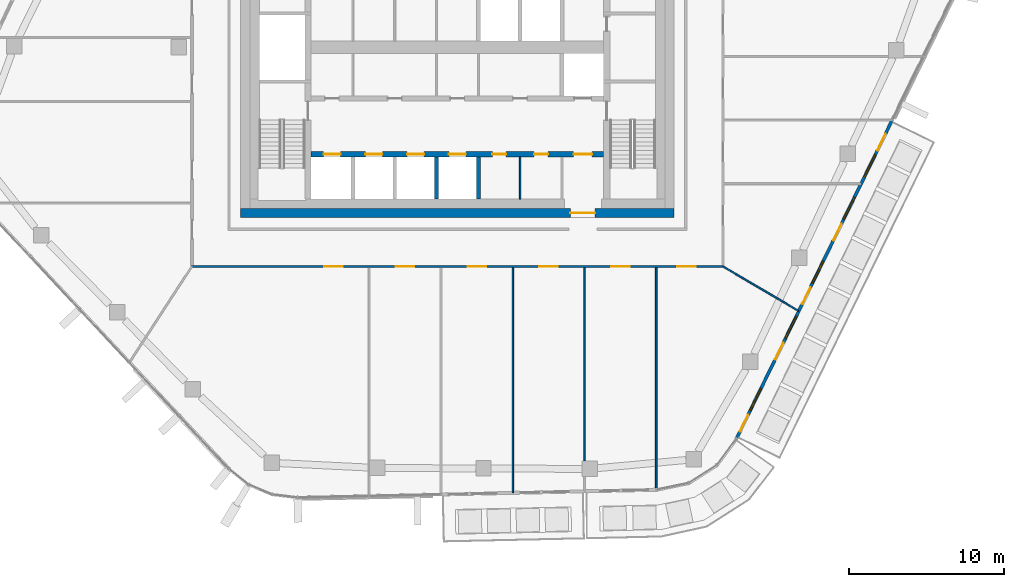
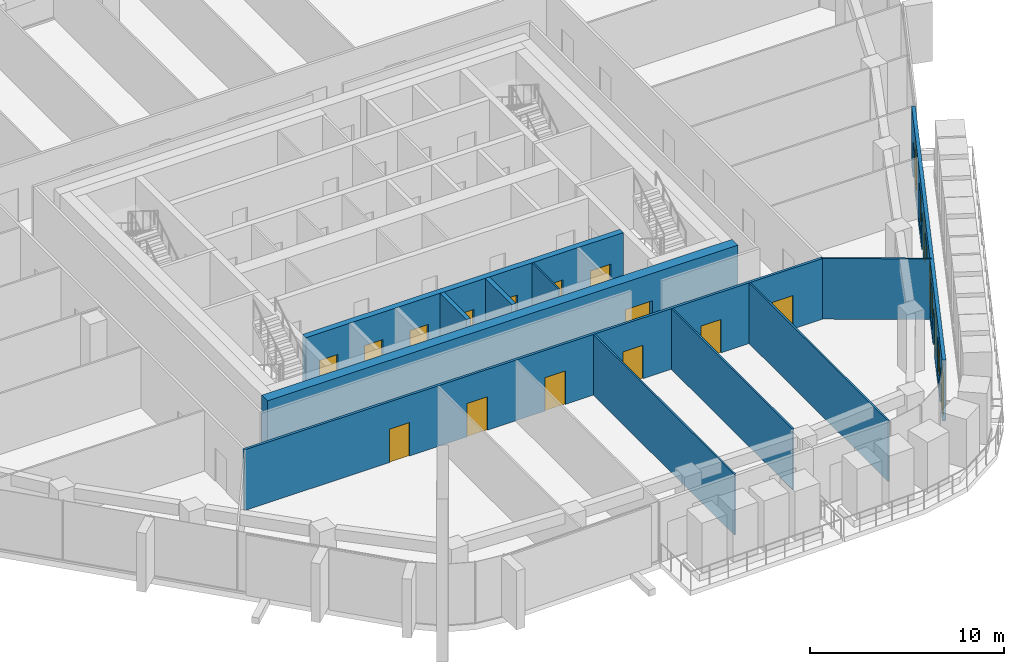
# One storey, part 13 of 24: 19 doors, 11 walls, 5 windows, 24 openings.
"""IFC4 building model written with IfcOpenShell, lengths in metres."""

from ifc_helpers import new_model, si_unit, direction, frame, frame_2d, origin, place, context, subcontext, project, spatial, rectangle, extrude, material, layer, layer_set, type_object, element, fill, save


model = new_model("IFC4")

# Units and contexts
model_context = context("Model", 3, precision=1e-05, world=origin(), true_north=direction((0.0, 1.0)))
body_context = subcontext(model_context, "Body", "Model", "MODEL_VIEW")
ifc_project = project(units=[si_unit("LENGTHUNIT", "METRE"), si_unit("AREAUNIT", "SQUARE_METRE"), si_unit("VOLUMEUNIT", "CUBIC_METRE"), si_unit("PLANEANGLEUNIT", "RADIAN"), si_unit("MASSUNIT", "GRAM", prefix="KILO")], contexts=[model_context])

# Site, building, storey
site_placement = place(None, origin())
site = spatial("IfcSite", under=ifc_project, at=site_placement, CompositionType="ELEMENT")
building_placement = place(site_placement, origin())
building = spatial("IfcBuilding", under=site, at=building_placement, Name="Dongbaek Canopy Tower", CompositionType="ELEMENT")
storey_placement = place(building_placement, frame((0.0, 0.0, 332.0)))
storey = spatial("IfcBuildingStorey", under=building, at=storey_placement, Name="L71", CompositionType="ELEMENT", Elevation=332.0)

# Wall, openings, doors
ifc_material_1 = material(Name="Concrete C60/75", Category="concrete")
ifc_layer_1 = layer(ifc_material_1, 0.35009765625)
ifc_layer_set_1 = layer_set([ifc_layer_1], Name="Core lobby wall 350 Concrete C60/75")
wall_type_1 = type_object("IfcWallType", Name="Core lobby wall 350 Concrete C60/75", PredefinedType="SHEAR", material=ifc_layer_set_1)
wall_1_placement = place(storey_placement, frame((9.449951171875, -6.89990234375, 0.0), z_axis=(0.0, 0.0, 1.0), x_axis=(-1.0, 0.0, 0.0)))
wall_1 = element("IfcWall", 1, at=wall_1_placement, inside=storey, type_object=wall_type_1, Name="Core wall", PredefinedType="SHEAR", context=body_context, shape_type="SweptSolid", body=[
    extrude(rectangle(XDim=18.89990234375, YDim=0.35009765625, at=frame_2d((9.449951171875, 0.0))), origin(), (0.0, 0.0, 1.0), 3.820068359375),
])
opening_1_placement = place(wall_1_placement, frame((17.0, 0.0, 0.0)))
opening_1 = element("IfcOpeningElement", 2, at=opening_1_placement, cuts=wall_1, Name="Opening L71-D034", PredefinedType="OPENING", context=body_context, shape_type="SweptSolid", body=[
    extrude(rectangle(XDim=1.10009765625, YDim=2.10009765625, at=frame_2d((0.550048828125, 1.050048828125))), frame((0.0, 0.18505859375, 0.0), z_axis=(0.0, -1.0, 0.0), x_axis=(1.0, 0.0, 0.0)), (0.0, 0.0, 1.0), 0.3701171875),
])
opening_2_placement = place(wall_1_placement, frame((14.300048828125, 0.0, 0.0)))
opening_2 = element("IfcOpeningElement", 3, at=opening_2_placement, cuts=wall_1, Name="Opening L71-D035", PredefinedType="OPENING", context=body_context, shape_type="SweptSolid", body=[
    extrude(rectangle(XDim=1.10009765625, YDim=2.10009765625, at=frame_2d((0.550048828125, 1.050048828125))), frame((0.0, 0.18505859375, 0.0), z_axis=(0.0, -1.0, 0.0), x_axis=(1.0, 0.0, 0.0)), (0.0, 0.0, 1.0), 0.3701171875),
])
opening_3_placement = place(wall_1_placement, frame((11.60009765625, 0.0, 0.0)))
opening_3 = element("IfcOpeningElement", 4, at=opening_3_placement, cuts=wall_1, Name="Opening L71-D036", PredefinedType="OPENING", context=body_context, shape_type="SweptSolid", body=[
    extrude(rectangle(XDim=1.10009765625, YDim=2.10009765625, at=frame_2d((0.550048828125, 1.050048828125))), frame((0.0, 0.18505859375, 0.0), z_axis=(0.0, -1.0, 0.0), x_axis=(1.0, 0.0, 0.0)), (0.0, 0.0, 1.0), 0.3701171875),
])
opening_4_placement = place(wall_1_placement, frame((8.89990234375, 0.0, 0.0)))
opening_4 = element("IfcOpeningElement", 5, at=opening_4_placement, cuts=wall_1, Name="Opening L71-D037", PredefinedType="OPENING", context=body_context, shape_type="SweptSolid", body=[
    extrude(rectangle(XDim=1.10009765625, YDim=2.10009765625, at=frame_2d((0.550048828125, 1.050048828125))), frame((0.0, 0.18505859375, 0.0), z_axis=(0.0, -1.0, 0.0), x_axis=(1.0, 0.0, 0.0)), (0.0, 0.0, 1.0), 0.3701171875),
])
opening_5_placement = place(wall_1_placement, frame((0.75, 0.0, 0.0)))
opening_5 = element("IfcOpeningElement", 6, at=opening_5_placement, cuts=wall_1, Name="Opening L71-D039", PredefinedType="OPENING", context=body_context, shape_type="SweptSolid", body=[
    extrude(rectangle(XDim=1.199951171875, YDim=2.10009765625, at=frame_2d((0.60009765625, 1.050048828125))), frame((0.0, 0.18505859375, 0.0), z_axis=(0.0, -1.0, 0.0), x_axis=(1.0, 0.0, 0.0)), (0.0, 0.0, 1.0), 0.3701171875),
])
opening_6_placement = place(wall_1_placement, frame((6.300048828125, 0.0, 0.0)))
opening_6 = element("IfcOpeningElement", 7, at=opening_6_placement, cuts=wall_1, Name="Opening L71-D050", PredefinedType="OPENING", context=body_context, shape_type="SweptSolid", body=[
    extrude(rectangle(XDim=0.89990234375, YDim=2.10009765625, at=frame_2d((0.449951171875, 1.050048828125))), frame((0.0, 0.18505859375, 0.0), z_axis=(0.0, -1.0, 0.0), x_axis=(1.0, 0.0, 0.0)), (0.0, 0.0, 1.0), 0.3701171875),
])
opening_7_placement = place(wall_1_placement, frame((3.60009765625, 0.0, 0.0)))
opening_7 = element("IfcOpeningElement", 8, at=opening_7_placement, cuts=wall_1, Name="Opening L71-D051", PredefinedType="OPENING", context=body_context, shape_type="SweptSolid", body=[
    extrude(rectangle(XDim=0.89990234375, YDim=2.10009765625, at=frame_2d((0.449951171875, 1.050048828125))), frame((0.0, 0.18505859375, 0.0), z_axis=(0.0, -1.0, 0.0), x_axis=(1.0, 0.0, 0.0)), (0.0, 0.0, 1.0), 0.3701171875),
])
ifc_material_2 = material(Name="Steel", Category="steel")
door_type_1 = type_object("IfcDoorType", Name="Core room door 900 x 2100", OperationType="SINGLE_SWING_LEFT", PredefinedType="DOOR", material=ifc_material_2)
door_1_placement = place(opening_6_placement, origin())
door_1 = element("IfcDoor", 9, at=door_1_placement, inside=storey, type_object=door_type_1, Name="Door L71-D050", OperationType="SINGLE_SWING_RIGHT", OverallHeight=2.10009765625, OverallWidth=0.89990234375, PredefinedType="DOOR", context=body_context, shape_type="SweptSolid", body=[
    extrude(rectangle(XDim=0.89990234375, YDim=2.10009765625, at=frame_2d((0.449951171875, 1.050048828125))), frame((0.0, 0.02490234375, 0.0), z_axis=(0.0, -1.0, 0.0), x_axis=(1.0, 0.0, 0.0)), (0.0, 0.0, 1.0), 0.050048828125),
])
fill(opening_6, door_1)
door_2_placement = place(opening_7_placement, origin())
door_2 = element("IfcDoor", 10, at=door_2_placement, inside=storey, type_object=door_type_1, Name="Door L71-D051", OperationType="SINGLE_SWING_LEFT", OverallHeight=2.10009765625, OverallWidth=0.89990234375, PredefinedType="DOOR", context=body_context, shape_type="SweptSolid", body=[
    extrude(rectangle(XDim=0.89990234375, YDim=2.10009765625, at=frame_2d((0.449951171875, 1.050048828125))), frame((0.0, 0.02490234375, 0.0), z_axis=(0.0, -1.0, 0.0), x_axis=(1.0, 0.0, 0.0)), (0.0, 0.0, 1.0), 0.050048828125),
])
fill(opening_7, door_2)
ifc_material_3 = material(Name="Steel", Category="steel")
door_type_2 = type_object("IfcDoorType", Name="Fire lobby door 1200 x 2100", OperationType="SINGLE_SWING_LEFT", PredefinedType="DOOR", material=ifc_material_3)
door_3_placement = place(opening_5_placement, origin())
door_3 = element("IfcDoor", 11, at=door_3_placement, inside=storey, type_object=door_type_2, Name="Door L71-D039", OperationType="SINGLE_SWING_LEFT", OverallHeight=2.10009765625, OverallWidth=1.199951171875, PredefinedType="DOOR", context=body_context, shape_type="SweptSolid", body=[
    extrude(rectangle(XDim=1.199951171875, YDim=2.10009765625, at=frame_2d((0.60009765625, 1.050048828125))), frame((0.0, 0.02490234375, 0.0), z_axis=(0.0, -1.0, 0.0), x_axis=(1.0, 0.0, 0.0)), (0.0, 0.0, 1.0), 0.050048828125),
])
fill(opening_5, door_3)
ifc_material_4 = material(Name="Stainless steel", Category="steel")
door_type_3 = type_object("IfcDoorType", Name="Lift landing door 1100 x 2100", OperationType="DOUBLE_DOOR_SLIDING", PredefinedType="DOOR", material=ifc_material_4)
door_4_placement = place(opening_1_placement, origin())
door_4 = element("IfcDoor", 12, at=door_4_placement, inside=storey, type_object=door_type_3, Name="Landing door HR1", OperationType="DOUBLE_DOOR_SLIDING", OverallHeight=2.10009765625, OverallWidth=1.10009765625, PredefinedType="DOOR", context=body_context, shape_type="SweptSolid", body=[
    extrude(rectangle(XDim=1.10009765625, YDim=2.10009765625, at=frame_2d((0.550048828125, 1.050048828125))), frame((0.0, 0.02490234375, 0.0), z_axis=(0.0, -1.0, 0.0), x_axis=(1.0, 0.0, 0.0)), (0.0, 0.0, 1.0), 0.050048828125),
])
fill(opening_1, door_4)
door_5_placement = place(opening_2_placement, origin())
door_5 = element("IfcDoor", 13, at=door_5_placement, inside=storey, type_object=door_type_3, Name="Landing door HR2", OperationType="DOUBLE_DOOR_SLIDING", OverallHeight=2.10009765625, OverallWidth=1.10009765625, PredefinedType="DOOR", context=body_context, shape_type="SweptSolid", body=[
    extrude(rectangle(XDim=1.10009765625, YDim=2.10009765625, at=frame_2d((0.550048828125, 1.050048828125))), frame((0.0, 0.02490234375, 0.0), z_axis=(0.0, -1.0, 0.0), x_axis=(1.0, 0.0, 0.0)), (0.0, 0.0, 1.0), 0.050048828125),
])
fill(opening_2, door_5)
door_6_placement = place(opening_3_placement, origin())
door_6 = element("IfcDoor", 14, at=door_6_placement, inside=storey, type_object=door_type_3, Name="Landing door HR3", OperationType="DOUBLE_DOOR_SLIDING", OverallHeight=2.10009765625, OverallWidth=1.10009765625, PredefinedType="DOOR", context=body_context, shape_type="SweptSolid", body=[
    extrude(rectangle(XDim=1.10009765625, YDim=2.10009765625, at=frame_2d((0.550048828125, 1.050048828125))), frame((0.0, 0.02490234375, 0.0), z_axis=(0.0, -1.0, 0.0), x_axis=(1.0, 0.0, 0.0)), (0.0, 0.0, 1.0), 0.050048828125),
])
fill(opening_3, door_6)
door_7_placement = place(opening_4_placement, origin())
door_7 = element("IfcDoor", 15, at=door_7_placement, inside=storey, type_object=door_type_3, Name="Landing door HR4", OperationType="DOUBLE_DOOR_SLIDING", OverallHeight=2.10009765625, OverallWidth=1.10009765625, PredefinedType="DOOR", context=body_context, shape_type="SweptSolid", body=[
    extrude(rectangle(XDim=1.10009765625, YDim=2.10009765625, at=frame_2d((0.550048828125, 1.050048828125))), frame((0.0, 0.02490234375, 0.0), z_axis=(0.0, -1.0, 0.0), x_axis=(1.0, 0.0, 0.0)), (0.0, 0.0, 1.0), 0.050048828125),
])
fill(opening_4, door_7)

# Wall, opening, door
ifc_material_5 = material(Name="Concrete C80/95", Category="concrete")
ifc_layer_2 = layer(ifc_material_5, 0.60009765625)
ifc_layer_set_2 = layer_set([ifc_layer_2], Name="Core outer wall 600 Concrete C80/95")
wall_type_2 = type_object("IfcWallType", Name="Core outer wall 600 Concrete C80/95", PredefinedType="SHEAR", material=ifc_layer_set_2)
wall_2_placement = place(storey_placement, frame((14.0, -10.699951171875, 0.0), z_axis=(0.0, 0.0, 1.0), x_axis=(-1.0, 0.0, 0.0)))
wall_2 = element("IfcWall", 16, at=wall_2_placement, inside=storey, type_object=wall_type_2, Name="Core wall", PredefinedType="SHEAR", context=body_context, shape_type="SweptSolid", body=[
    extrude(rectangle(XDim=28.0, YDim=0.60009765625, at=frame_2d((14.0, 0.0))), origin(), (0.0, 0.0, 1.0), 3.820068359375),
])
opening_8_placement = place(wall_2_placement, frame((5.10009765625, 0.0, 0.0)))
opening_8 = element("IfcOpeningElement", 17, at=opening_8_placement, cuts=wall_2, Name="Opening L71-D038", PredefinedType="OPENING", context=body_context, shape_type="SweptSolid", body=[
    extrude(rectangle(XDim=1.60009765625, YDim=2.10009765625, at=frame_2d((0.800048828125, 1.050048828125))), frame((0.0, 0.31005859375, 0.0), z_axis=(0.0, -1.0, 0.0), x_axis=(1.0, 0.0, 0.0)), (0.0, 0.0, 1.0), 0.6201171875),
])
ifc_material_6 = material(Name="Steel", Category="steel")
door_type_4 = type_object("IfcDoorType", Name="Core exit door 1600 x 2100", OperationType="DOUBLE_DOOR_SINGLE_SWING", PredefinedType="DOOR", material=ifc_material_6)
door_8_placement = place(opening_8_placement, origin())
door_8 = element("IfcDoor", 18, at=door_8_placement, inside=storey, type_object=door_type_4, Name="Core exit door", OperationType="DOUBLE_DOOR_SINGLE_SWING", OverallHeight=2.10009765625, OverallWidth=1.60009765625, PredefinedType="DOOR", context=body_context, shape_type="SweptSolid", body=[
    extrude(rectangle(XDim=1.60009765625, YDim=2.10009765625, at=frame_2d((0.800048828125, 1.050048828125))), frame((0.0, 0.02490234375, 0.0), z_axis=(0.0, -1.0, 0.0), x_axis=(1.0, 0.0, 0.0)), (0.0, 0.0, 1.0), 0.050048828125),
])
fill(opening_8, door_8)

# Wall, openings, doors
ifc_material_7 = material(Name="Gypsum board partition, steel stud, 2 x 15 mm fire board", Category="steel")
ifc_layer_3 = layer(ifc_material_7, 0.14990234375)
ifc_layer_set_3 = layer_set([ifc_layer_3], Name="Fire-rated partition 150 gypsum board")
wall_type_3 = type_object("IfcWallType", Name="Fire-rated partition 150 gypsum board", PredefinedType="PARTITIONING", material=ifc_layer_set_3)
wall_3_placement = place(storey_placement, frame((17.22509765625, -14.14990234375, 0.0), z_axis=(0.0, 0.0, 1.0), x_axis=(-1.0, 0.0, 0.0)))
wall_3 = element("IfcWall", 19, at=wall_3_placement, inside=storey, type_object=wall_type_3, Name="Corridor partition", PredefinedType="PARTITIONING", context=body_context, shape_type="SweptSolid", body=[
    extrude(rectangle(XDim=34.4501953125, YDim=0.14990234375, at=frame_2d((17.22509765625, 0.0))), origin(), (0.0, 0.0, 1.0), 3.820068359375),
])
opening_9_placement = place(wall_3_placement, frame((24.638671875, 0.0, 0.0)))
opening_9 = element("IfcOpeningElement", 20, at=opening_9_placement, cuts=wall_3, Name="Opening L71-D004", PredefinedType="OPENING", context=body_context, shape_type="SweptSolid", body=[
    extrude(rectangle(XDim=1.199951171875, YDim=2.10009765625, at=frame_2d((0.60009765625, 1.050048828125))), frame((0.0, 0.0849609375, 0.0), z_axis=(0.0, -1.0, 0.0), x_axis=(1.0, 0.0, 0.0)), (0.0, 0.0, 1.0), 0.169921875),
])
opening_10_placement = place(wall_3_placement, frame((20.0048828125, 0.0, 0.0)))
opening_10 = element("IfcOpeningElement", 21, at=opening_10_placement, cuts=wall_3, Name="Opening L71-D005", PredefinedType="OPENING", context=body_context, shape_type="SweptSolid", body=[
    extrude(rectangle(XDim=1.199951171875, YDim=2.10009765625, at=frame_2d((0.60009765625, 1.050048828125))), frame((0.0, 0.0849609375, 0.0), z_axis=(0.0, -1.0, 0.0), x_axis=(1.0, 0.0, 0.0)), (0.0, 0.0, 1.0), 0.169921875),
])
opening_11_placement = place(wall_3_placement, frame((15.367431640625, 0.0, 0.0)))
opening_11 = element("IfcOpeningElement", 22, at=opening_11_placement, cuts=wall_3, Name="Opening L71-D006", PredefinedType="OPENING", context=body_context, shape_type="SweptSolid", body=[
    extrude(rectangle(XDim=1.199951171875, YDim=2.10009765625, at=frame_2d((0.60009765625, 1.050048828125))), frame((0.0, 0.0849609375, 0.0), z_axis=(0.0, -1.0, 0.0), x_axis=(1.0, 0.0, 0.0)), (0.0, 0.0, 1.0), 0.169921875),
])
opening_12_placement = place(wall_3_placement, frame((10.72998046875, 0.0, 0.0)))
opening_12 = element("IfcOpeningElement", 23, at=opening_12_placement, cuts=wall_3, Name="Opening L71-D007", PredefinedType="OPENING", context=body_context, shape_type="SweptSolid", body=[
    extrude(rectangle(XDim=1.199951171875, YDim=2.10009765625, at=frame_2d((0.60009765625, 1.050048828125))), frame((0.0, 0.0849609375, 0.0), z_axis=(0.0, -1.0, 0.0), x_axis=(1.0, 0.0, 0.0)), (0.0, 0.0, 1.0), 0.169921875),
])
opening_13_placement = place(wall_3_placement, frame((6.09716796875, 0.0, 0.0)))
opening_13 = element("IfcOpeningElement", 24, at=opening_13_placement, cuts=wall_3, Name="Opening L71-D008", PredefinedType="OPENING", context=body_context, shape_type="SweptSolid", body=[
    extrude(rectangle(XDim=1.199951171875, YDim=2.10009765625, at=frame_2d((0.60009765625, 1.050048828125))), frame((0.0, 0.0849609375, 0.0), z_axis=(0.0, -1.0, 0.0), x_axis=(1.0, 0.0, 0.0)), (0.0, 0.0, 1.0), 0.169921875),
])
opening_14_placement = place(wall_3_placement, frame((1.82958984375, 0.0, 0.0)))
opening_14 = element("IfcOpeningElement", 25, at=opening_14_placement, cuts=wall_3, Name="Opening L71-D009", PredefinedType="OPENING", context=body_context, shape_type="SweptSolid", body=[
    extrude(rectangle(XDim=1.199951171875, YDim=2.10009765625, at=frame_2d((0.60009765625, 1.050048828125))), frame((0.0, 0.0849609375, 0.0), z_axis=(0.0, -1.0, 0.0), x_axis=(1.0, 0.0, 0.0)), (0.0, 0.0, 1.0), 0.169921875),
])
ifc_material_8 = material(Name="Timber veneered door leaf", Category="wood")
door_type_5 = type_object("IfcDoorType", Name="Room door 1200 x 2100", OperationType="SINGLE_SWING_LEFT", PredefinedType="DOOR", material=ifc_material_8)
door_9_placement = place(opening_9_placement, origin())
door_9 = element("IfcDoor", 26, at=door_9_placement, inside=storey, type_object=door_type_5, Name="Door L71-D004", OperationType="SINGLE_SWING_LEFT", OverallHeight=2.10009765625, OverallWidth=1.199951171875, PredefinedType="DOOR", context=body_context, shape_type="SweptSolid", body=[
    extrude(rectangle(XDim=1.199951171875, YDim=2.10009765625, at=frame_2d((0.60009765625, 1.050048828125))), frame((0.0, 0.02490234375, 0.0), z_axis=(0.0, -1.0, 0.0), x_axis=(1.0, 0.0, 0.0)), (0.0, 0.0, 1.0), 0.050048828125),
])
fill(opening_9, door_9)
door_10_placement = place(opening_10_placement, origin())
door_10 = element("IfcDoor", 27, at=door_10_placement, inside=storey, type_object=door_type_5, Name="Door L71-D005", OperationType="SINGLE_SWING_RIGHT", OverallHeight=2.10009765625, OverallWidth=1.199951171875, PredefinedType="DOOR", context=body_context, shape_type="SweptSolid", body=[
    extrude(rectangle(XDim=1.199951171875, YDim=2.10009765625, at=frame_2d((0.60009765625, 1.050048828125))), frame((0.0, 0.02490234375, 0.0), z_axis=(0.0, -1.0, 0.0), x_axis=(1.0, 0.0, 0.0)), (0.0, 0.0, 1.0), 0.050048828125),
])
fill(opening_10, door_10)
door_11_placement = place(opening_11_placement, origin())
door_11 = element("IfcDoor", 28, at=door_11_placement, inside=storey, type_object=door_type_5, Name="Door L71-D006", OperationType="SINGLE_SWING_LEFT", OverallHeight=2.10009765625, OverallWidth=1.199951171875, PredefinedType="DOOR", context=body_context, shape_type="SweptSolid", body=[
    extrude(rectangle(XDim=1.199951171875, YDim=2.10009765625, at=frame_2d((0.60009765625, 1.050048828125))), frame((0.0, 0.02490234375, 0.0), z_axis=(0.0, -1.0, 0.0), x_axis=(1.0, 0.0, 0.0)), (0.0, 0.0, 1.0), 0.050048828125),
])
fill(opening_11, door_11)
door_12_placement = place(opening_12_placement, origin())
door_12 = element("IfcDoor", 29, at=door_12_placement, inside=storey, type_object=door_type_5, Name="Door L71-D007", OperationType="SINGLE_SWING_RIGHT", OverallHeight=2.10009765625, OverallWidth=1.199951171875, PredefinedType="DOOR", context=body_context, shape_type="SweptSolid", body=[
    extrude(rectangle(XDim=1.199951171875, YDim=2.10009765625, at=frame_2d((0.60009765625, 1.050048828125))), frame((0.0, 0.02490234375, 0.0), z_axis=(0.0, -1.0, 0.0), x_axis=(1.0, 0.0, 0.0)), (0.0, 0.0, 1.0), 0.050048828125),
])
fill(opening_12, door_12)
door_13_placement = place(opening_13_placement, origin())
door_13 = element("IfcDoor", 30, at=door_13_placement, inside=storey, type_object=door_type_5, Name="Door L71-D008", OperationType="SINGLE_SWING_LEFT", OverallHeight=2.10009765625, OverallWidth=1.199951171875, PredefinedType="DOOR", context=body_context, shape_type="SweptSolid", body=[
    extrude(rectangle(XDim=1.199951171875, YDim=2.10009765625, at=frame_2d((0.60009765625, 1.050048828125))), frame((0.0, 0.02490234375, 0.0), z_axis=(0.0, -1.0, 0.0), x_axis=(1.0, 0.0, 0.0)), (0.0, 0.0, 1.0), 0.050048828125),
])
fill(opening_13, door_13)
door_14_placement = place(opening_14_placement, origin())
door_14 = element("IfcDoor", 31, at=door_14_placement, inside=storey, type_object=door_type_5, Name="Door L71-D009", OperationType="SINGLE_SWING_RIGHT", OverallHeight=2.10009765625, OverallWidth=1.199951171875, PredefinedType="DOOR", context=body_context, shape_type="SweptSolid", body=[
    extrude(rectangle(XDim=1.199951171875, YDim=2.10009765625, at=frame_2d((0.60009765625, 1.050048828125))), frame((0.0, 0.02490234375, 0.0), z_axis=(0.0, -1.0, 0.0), x_axis=(1.0, 0.0, 0.0)), (0.0, 0.0, 1.0), 0.050048828125),
])
fill(opening_14, door_14)

# Walls
ifc_material_9 = material(Name="Concrete C40/50", Category="concrete")
ifc_layer_4 = layer(ifc_material_9, 0.25)
ifc_layer_set_4 = layer_set([ifc_layer_4], Name="Lift shaft wall 250 Concrete C40/50")
wall_type_4 = type_object("IfcWallType", Name="Lift shaft wall 250 Concrete C40/50", PredefinedType="SOLIDWALL", material=ifc_layer_set_4)
for number, where, z_axis, x_axis, name in (
    (32, (1.35009765625, -9.800048828125, 0.0), (0.0, 0.0, 1.0), (0.0, 1.0, 0.0), "Lift shaft wall"),
    (33, (-1.35009765625, -9.800048828125, 0.0), (0.0, 0.0, 1.0), (0.0, 1.0, 0.0), "Lift shaft wall"),
):
    element("IfcWall", number, at=place(storey_placement, frame(where, z_axis=z_axis, x_axis=x_axis)), inside=storey, type_object=wall_type_4, Name=name, PredefinedType="SOLIDWALL", context=body_context, shape_type="SweptSolid", body=[
        extrude(rectangle(XDim=2.72509765625, YDim=0.25, at=frame_2d((1.362548828125, 0.0))), origin(), (0.0, 0.0, 1.0), 3.820068359375),
    ])
ifc_material_10 = material(Name="Gypsum board partition, steel stud, 2 x 12.5 mm board", Category="steel")
ifc_layer_5 = layer(ifc_material_10, 0.10009765625)
ifc_layer_set_5 = layer_set([ifc_layer_5], Name="Partition 100 gypsum board")
wall_type_5 = type_object("IfcWallType", Name="Partition 100 gypsum board", PredefinedType="PARTITIONING", material=ifc_layer_set_5)
wall_4_placement = place(storey_placement, frame((12.842041015625, -28.55078125, 0.0), z_axis=(0.0, 0.0, 1.0), x_axis=(0.0, 1.0, 0.0)))
element("IfcWall", 34, at=wall_4_placement, inside=storey, type_object=wall_type_5, Name="Partition", PredefinedType="PARTITIONING", context=body_context, shape_type="SweptSolid", body=[
    extrude(rectangle(XDim=14.32568359375, YDim=0.10009765625, at=frame_2d((7.162841796875, 0.0))), origin(), (0.0, 0.0, 1.0), 3.820068359375),
])
wall_5_placement = place(storey_placement, frame((8.214111328125, -26.72705078125, 0.0), z_axis=(0.0, 0.0, 1.0), x_axis=(0.0, 1.0, 0.0)))
element("IfcWall", 35, at=wall_5_placement, inside=storey, type_object=wall_type_5, Name="Partition", PredefinedType="PARTITIONING", context=body_context, shape_type="SweptSolid", body=[
    extrude(rectangle(XDim=12.501953125, YDim=0.10009765625, at=frame_2d((6.2509765625, 0.0))), origin(), (0.0, 0.0, 1.0), 3.820068359375),
])
wall_6_placement = place(storey_placement, frame((3.575927734375, -28.752197265625, 0.0), z_axis=(0.0, 0.0, 1.0), x_axis=(0.0, 1.0, 0.0)))
element("IfcWall", 36, at=wall_6_placement, inside=storey, type_object=wall_type_5, Name="Partition", PredefinedType="PARTITIONING", context=body_context, shape_type="SweptSolid", body=[
    extrude(rectangle(XDim=14.527099609375, YDim=0.10009765625, at=frame_2d((7.263671875, 0.0))), origin(), (0.0, 0.0, 1.0), 3.820068359375),
])
wall_7_placement = place(storey_placement, frame((17.150146484375, -14.14990234375, 0.0), z_axis=(0.0, 0.0, 1.0), x_axis=(0.861895432603, -0.507086051137, 0.0)))
element("IfcWall", 37, at=wall_7_placement, inside=storey, type_object=wall_type_5, Name="Partition", PredefinedType="PARTITIONING", context=body_context, shape_type="SweptSolid", body=[
    extrude(rectangle(XDim=5.664306640625, YDim=0.10009765625, at=frame_2d((2.83203125, 0.0))), origin(), (0.0, 0.0, 1.0), 3.820068359375),
])
wall_8_placement = place(storey_placement, frame((4.050048828125, -9.800048828125, 0.0), z_axis=(0.0, 0.0, 1.0), x_axis=(0.0, 1.0, 0.0)))
element("IfcWall", 38, at=wall_8_placement, inside=storey, type_object=wall_type_5, Name="Core partition", PredefinedType="PARTITIONING", context=body_context, shape_type="SweptSolid", body=[
    extrude(rectangle(XDim=2.72509765625, YDim=0.10009765625, at=frame_2d((1.362548828125, 0.0))), origin(), (0.0, 0.0, 1.0), 3.820068359375),
])

# Wall, openings, doors, windows
ifc_material_11 = material(Name="Aluminium window wall", Category="aluminium")
ifc_layer_6 = layer(ifc_material_11, 0.199951171875)
ifc_layer_set_6 = layer_set([ifc_layer_6], Name="Window wall 200")
wall_type_6 = type_object("IfcWallType", Name="Window wall 200", PredefinedType="SOLIDWALL", material=ifc_layer_set_6)
wall_9_placement = place(storey_placement, frame((18.02734375, -25.25634765625, 0.0), z_axis=(0.0, 0.0, 1.0), x_axis=(0.439336781314, 0.898322432418, 0.0)))
wall_9 = element("IfcWall", 39, at=wall_9_placement, inside=storey, type_object=wall_type_6, Name="Window wall L71 5", PredefinedType="SOLIDWALL", context=body_context, shape_type="SweptSolid", body=[
    extrude(rectangle(XDim=22.88720703125, YDim=0.199951171875, at=frame_2d((11.443603515625, 0.0))), origin(), (0.0, 0.0, 1.0), 3.820068359375),
])
opening_15_placement = place(wall_9_placement, frame((2.0, 0.0, 0.60009765625)))
opening_15 = element("IfcOpeningElement", 40, at=opening_15_placement, cuts=wall_9, Name="Opening W1", PredefinedType="OPENING", context=body_context, shape_type="SweptSolid", body=[
    extrude(rectangle(XDim=1.60009765625, YDim=2.39990234375, at=frame_2d((0.800048828125, 1.199951171875))), frame((0.0, 0.10986328125, 0.0), z_axis=(0.0, -1.0, 0.0), x_axis=(1.0, 0.0, 0.0)), (0.0, 0.0, 1.0), 0.219970703125),
])
opening_16_placement = place(wall_9_placement, frame((0.5, 0.0, 0.0)))
opening_16 = element("IfcOpeningElement", 41, at=opening_16_placement, cuts=wall_9, Name="Opening L71-B15", PredefinedType="OPENING", context=body_context, shape_type="SweptSolid", body=[
    extrude(rectangle(XDim=1.199951171875, YDim=2.39990234375, at=frame_2d((0.60009765625, 1.199951171875))), frame((0.0, 0.10986328125, 0.0), z_axis=(0.0, -1.0, 0.0), x_axis=(1.0, 0.0, 0.0)), (0.0, 0.0, 1.0), 0.219970703125),
])
opening_17_placement = place(wall_9_placement, frame((7.177490234375, 0.0, 0.60009765625)))
opening_17 = element("IfcOpeningElement", 42, at=opening_17_placement, cuts=wall_9, Name="Opening W1", PredefinedType="OPENING", context=body_context, shape_type="SweptSolid", body=[
    extrude(rectangle(XDim=1.60009765625, YDim=2.39990234375, at=frame_2d((0.800048828125, 1.199951171875))), frame((0.0, 0.10986328125, 0.0), z_axis=(0.0, -1.0, 0.0), x_axis=(1.0, 0.0, 0.0)), (0.0, 0.0, 1.0), 0.219970703125),
])
opening_18_placement = place(wall_9_placement, frame((5.677490234375, 0.0, 0.0)))
opening_18 = element("IfcOpeningElement", 43, at=opening_18_placement, cuts=wall_9, Name="Opening L71-B16", PredefinedType="OPENING", context=body_context, shape_type="SweptSolid", body=[
    extrude(rectangle(XDim=1.199951171875, YDim=2.39990234375, at=frame_2d((0.60009765625, 1.199951171875))), frame((0.0, 0.10986328125, 0.0), z_axis=(0.0, -1.0, 0.0), x_axis=(1.0, 0.0, 0.0)), (0.0, 0.0, 1.0), 0.219970703125),
])
opening_19_placement = place(wall_9_placement, frame((11.15478515625, 0.0, 0.60009765625)))
opening_19 = element("IfcOpeningElement", 44, at=opening_19_placement, cuts=wall_9, Name="Opening W1", PredefinedType="OPENING", context=body_context, shape_type="SweptSolid", body=[
    extrude(rectangle(XDim=1.60009765625, YDim=2.39990234375, at=frame_2d((0.800048828125, 1.199951171875))), frame((0.0, 0.10986328125, 0.0), z_axis=(0.0, -1.0, 0.0), x_axis=(1.0, 0.0, 0.0)), (0.0, 0.0, 1.0), 0.219970703125),
])
opening_20_placement = place(wall_9_placement, frame((9.65478515625, 0.0, 0.0)))
opening_20 = element("IfcOpeningElement", 45, at=opening_20_placement, cuts=wall_9, Name="Opening L71-B17", PredefinedType="OPENING", context=body_context, shape_type="SweptSolid", body=[
    extrude(rectangle(XDim=1.199951171875, YDim=2.39990234375, at=frame_2d((0.60009765625, 1.199951171875))), frame((0.0, 0.10986328125, 0.0), z_axis=(0.0, -1.0, 0.0), x_axis=(1.0, 0.0, 0.0)), (0.0, 0.0, 1.0), 0.219970703125),
])
opening_21_placement = place(wall_9_placement, frame((15.732177734375, 0.0, 0.60009765625)))
opening_21 = element("IfcOpeningElement", 46, at=opening_21_placement, cuts=wall_9, Name="Opening W1", PredefinedType="OPENING", context=body_context, shape_type="SweptSolid", body=[
    extrude(rectangle(XDim=1.60009765625, YDim=2.39990234375, at=frame_2d((0.800048828125, 1.199951171875))), frame((0.0, 0.10986328125, 0.0), z_axis=(0.0, -1.0, 0.0), x_axis=(1.0, 0.0, 0.0)), (0.0, 0.0, 1.0), 0.219970703125),
])
opening_22_placement = place(wall_9_placement, frame((14.232177734375, 0.0, 0.0)))
opening_22 = element("IfcOpeningElement", 47, at=opening_22_placement, cuts=wall_9, Name="Opening L71-B18", PredefinedType="OPENING", context=body_context, shape_type="SweptSolid", body=[
    extrude(rectangle(XDim=1.199951171875, YDim=2.39990234375, at=frame_2d((0.60009765625, 1.199951171875))), frame((0.0, 0.10986328125, 0.0), z_axis=(0.0, -1.0, 0.0), x_axis=(1.0, 0.0, 0.0)), (0.0, 0.0, 1.0), 0.219970703125),
])
opening_23_placement = place(wall_9_placement, frame((18.8095703125, 0.0, 0.60009765625)))
opening_23 = element("IfcOpeningElement", 48, at=opening_23_placement, cuts=wall_9, Name="Opening W1", PredefinedType="OPENING", context=body_context, shape_type="SweptSolid", body=[
    extrude(rectangle(XDim=1.60009765625, YDim=2.39990234375, at=frame_2d((0.800048828125, 1.199951171875))), frame((0.0, 0.10986328125, 0.0), z_axis=(0.0, -1.0, 0.0), x_axis=(1.0, 0.0, 0.0)), (0.0, 0.0, 1.0), 0.219970703125),
])
opening_24_placement = place(wall_9_placement, frame((20.709716796875, 0.0, 0.0)))
opening_24 = element("IfcOpeningElement", 49, at=opening_24_placement, cuts=wall_9, Name="Opening L71-B19", PredefinedType="OPENING", context=body_context, shape_type="SweptSolid", body=[
    extrude(rectangle(XDim=1.199951171875, YDim=2.39990234375, at=frame_2d((0.60009765625, 1.199951171875))), frame((0.0, 0.10986328125, 0.0), z_axis=(0.0, -1.0, 0.0), x_axis=(1.0, 0.0, 0.0)), (0.0, 0.0, 1.0), 0.219970703125),
])
ifc_material_12 = material(Name="Clear glazing in aluminium frame", Category="aluminium")
door_type_6 = type_object("IfcDoorType", Name="Balcony door BD1 1200 x 2400", OperationType="SLIDING_TO_LEFT", PredefinedType="DOOR", material=ifc_material_12)
door_15_placement = place(opening_16_placement, origin())
door_15 = element("IfcDoor", 50, at=door_15_placement, inside=storey, type_object=door_type_6, Name="Balcony door L71-B15", OperationType="SLIDING_TO_LEFT", OverallHeight=2.39990234375, OverallWidth=1.199951171875, PredefinedType="DOOR", context=body_context, shape_type="SweptSolid", body=[
    extrude(rectangle(XDim=1.199951171875, YDim=2.39990234375, at=frame_2d((0.60009765625, 1.199951171875))), frame((0.0, 0.02490234375, 0.0), z_axis=(0.0, -1.0, 0.0), x_axis=(1.0, 0.0, 0.0)), (0.0, 0.0, 1.0), 0.050048828125),
])
fill(opening_16, door_15)
door_16_placement = place(opening_18_placement, origin())
door_16 = element("IfcDoor", 51, at=door_16_placement, inside=storey, type_object=door_type_6, Name="Balcony door L71-B16", OperationType="SLIDING_TO_LEFT", OverallHeight=2.39990234375, OverallWidth=1.199951171875, PredefinedType="DOOR", context=body_context, shape_type="SweptSolid", body=[
    extrude(rectangle(XDim=1.199951171875, YDim=2.39990234375, at=frame_2d((0.60009765625, 1.199951171875))), frame((0.0, 0.02490234375, 0.0), z_axis=(0.0, -1.0, 0.0), x_axis=(1.0, 0.0, 0.0)), (0.0, 0.0, 1.0), 0.050048828125),
])
fill(opening_18, door_16)
door_17_placement = place(opening_20_placement, origin())
door_17 = element("IfcDoor", 52, at=door_17_placement, inside=storey, type_object=door_type_6, Name="Balcony door L71-B17", OperationType="SLIDING_TO_LEFT", OverallHeight=2.39990234375, OverallWidth=1.199951171875, PredefinedType="DOOR", context=body_context, shape_type="SweptSolid", body=[
    extrude(rectangle(XDim=1.199951171875, YDim=2.39990234375, at=frame_2d((0.60009765625, 1.199951171875))), frame((0.0, 0.02490234375, 0.0), z_axis=(0.0, -1.0, 0.0), x_axis=(1.0, 0.0, 0.0)), (0.0, 0.0, 1.0), 0.050048828125),
])
fill(opening_20, door_17)
door_18_placement = place(opening_22_placement, origin())
door_18 = element("IfcDoor", 53, at=door_18_placement, inside=storey, type_object=door_type_6, Name="Balcony door L71-B18", OperationType="SLIDING_TO_LEFT", OverallHeight=2.39990234375, OverallWidth=1.199951171875, PredefinedType="DOOR", context=body_context, shape_type="SweptSolid", body=[
    extrude(rectangle(XDim=1.199951171875, YDim=2.39990234375, at=frame_2d((0.60009765625, 1.199951171875))), frame((0.0, 0.02490234375, 0.0), z_axis=(0.0, -1.0, 0.0), x_axis=(1.0, 0.0, 0.0)), (0.0, 0.0, 1.0), 0.050048828125),
])
fill(opening_22, door_18)
door_19_placement = place(opening_24_placement, origin())
door_19 = element("IfcDoor", 54, at=door_19_placement, inside=storey, type_object=door_type_6, Name="Balcony door L71-B19", OperationType="SLIDING_TO_LEFT", OverallHeight=2.39990234375, OverallWidth=1.199951171875, PredefinedType="DOOR", context=body_context, shape_type="SweptSolid", body=[
    extrude(rectangle(XDim=1.199951171875, YDim=2.39990234375, at=frame_2d((0.60009765625, 1.199951171875))), frame((0.0, 0.02490234375, 0.0), z_axis=(0.0, -1.0, 0.0), x_axis=(1.0, 0.0, 0.0)), (0.0, 0.0, 1.0), 0.050048828125),
])
fill(opening_24, door_19)
ifc_material_13 = material(Name="Clear glazing in aluminium frame", Category="aluminium")
window_type = type_object("IfcWindowType", Name="Window W1 1600 x 2400", PartitioningType="SINGLE_PANEL", PredefinedType="WINDOW", material=ifc_material_13)
window_1_placement = place(opening_15_placement, origin())
window_1 = element("IfcWindow", 55, at=window_1_placement, inside=storey, type_object=window_type, Name="Window L71 5.1", OverallHeight=2.39990234375, OverallWidth=1.60009765625, PartitioningType="SINGLE_PANEL", PredefinedType="WINDOW", context=body_context, shape_type="SweptSolid", body=[
    extrude(rectangle(XDim=1.60009765625, YDim=2.39990234375, at=frame_2d((0.800048828125, 1.199951171875))), frame((0.0, 0.030029296875, 0.0), z_axis=(0.0, -1.0, 0.0), x_axis=(1.0, 0.0, 0.0)), (0.0, 0.0, 1.0), 0.06005859375),
])
fill(opening_15, window_1)
window_2_placement = place(opening_17_placement, origin())
window_2 = element("IfcWindow", 56, at=window_2_placement, inside=storey, type_object=window_type, Name="Window L71 5.2", OverallHeight=2.39990234375, OverallWidth=1.60009765625, PartitioningType="SINGLE_PANEL", PredefinedType="WINDOW", context=body_context, shape_type="SweptSolid", body=[
    extrude(rectangle(XDim=1.60009765625, YDim=2.39990234375, at=frame_2d((0.800048828125, 1.199951171875))), frame((0.0, 0.030029296875, 0.0), z_axis=(0.0, -1.0, 0.0), x_axis=(1.0, 0.0, 0.0)), (0.0, 0.0, 1.0), 0.06005859375),
])
fill(opening_17, window_2)
window_3_placement = place(opening_19_placement, origin())
window_3 = element("IfcWindow", 57, at=window_3_placement, inside=storey, type_object=window_type, Name="Window L71 5.3", OverallHeight=2.39990234375, OverallWidth=1.60009765625, PartitioningType="SINGLE_PANEL", PredefinedType="WINDOW", context=body_context, shape_type="SweptSolid", body=[
    extrude(rectangle(XDim=1.60009765625, YDim=2.39990234375, at=frame_2d((0.800048828125, 1.199951171875))), frame((0.0, 0.030029296875, 0.0), z_axis=(0.0, -1.0, 0.0), x_axis=(1.0, 0.0, 0.0)), (0.0, 0.0, 1.0), 0.06005859375),
])
fill(opening_19, window_3)
window_4_placement = place(opening_21_placement, origin())
window_4 = element("IfcWindow", 58, at=window_4_placement, inside=storey, type_object=window_type, Name="Window L71 5.4", OverallHeight=2.39990234375, OverallWidth=1.60009765625, PartitioningType="SINGLE_PANEL", PredefinedType="WINDOW", context=body_context, shape_type="SweptSolid", body=[
    extrude(rectangle(XDim=1.60009765625, YDim=2.39990234375, at=frame_2d((0.800048828125, 1.199951171875))), frame((0.0, 0.030029296875, 0.0), z_axis=(0.0, -1.0, 0.0), x_axis=(1.0, 0.0, 0.0)), (0.0, 0.0, 1.0), 0.06005859375),
])
fill(opening_21, window_4)
window_5_placement = place(opening_23_placement, origin())
window_5 = element("IfcWindow", 59, at=window_5_placement, inside=storey, type_object=window_type, Name="Window L71 5.5", OverallHeight=2.39990234375, OverallWidth=1.60009765625, PartitioningType="SINGLE_PANEL", PredefinedType="WINDOW", context=body_context, shape_type="SweptSolid", body=[
    extrude(rectangle(XDim=1.60009765625, YDim=2.39990234375, at=frame_2d((0.800048828125, 1.199951171875))), frame((0.0, 0.030029296875, 0.0), z_axis=(0.0, -1.0, 0.0), x_axis=(1.0, 0.0, 0.0)), (0.0, 0.0, 1.0), 0.06005859375),
])
fill(opening_23, window_5)

save(model, "model.ifc")
